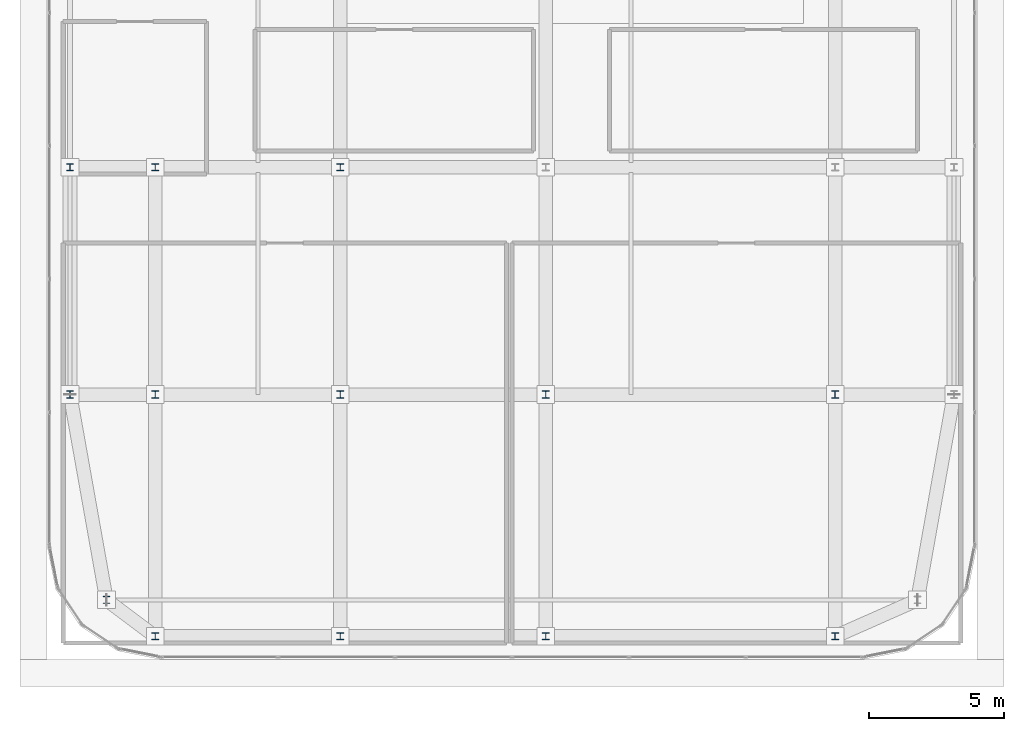
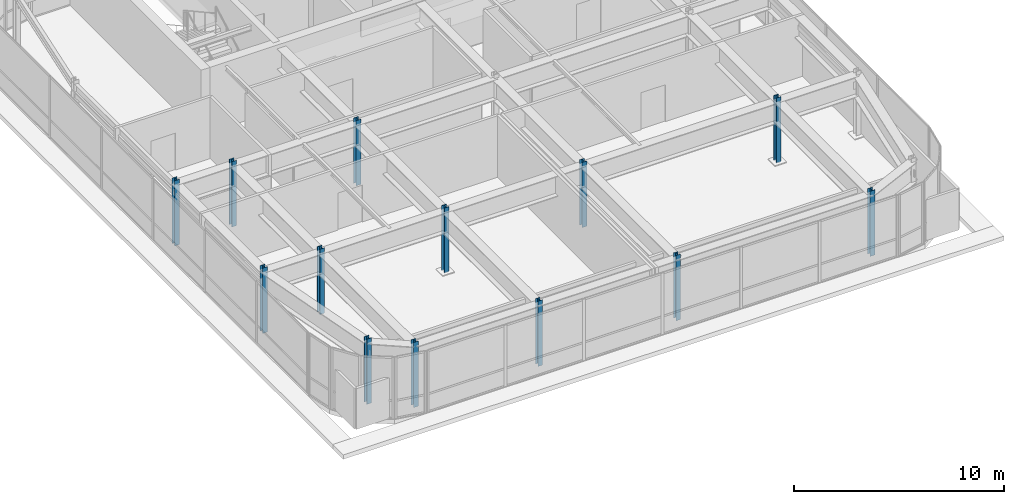
# One storey, part 1 of 35: 13 columns.
"""IFC4 building model written with IfcOpenShell, lengths in metres."""

from ifc_helpers import new_model, si_unit, direction, frame, origin, origin_2d, place, context, subcontext, project, spatial, i_section, extrude, source, transform, mapped, material, material_profile, profile_set, type_object, type_shapes, element, save


model = new_model("IFC4")

# Units and contexts
model_context = context("Model", 3, precision=1e-05, world=origin(), true_north=direction((0.0, 1.0)))
body_context = subcontext(model_context, "Body", "Model", "MODEL_VIEW")
ifc_project = project(units=[si_unit("LENGTHUNIT", "METRE"), si_unit("AREAUNIT", "SQUARE_METRE"), si_unit("VOLUMEUNIT", "CUBIC_METRE"), si_unit("PLANEANGLEUNIT", "RADIAN"), si_unit("MASSUNIT", "GRAM", prefix="KILO")], contexts=[model_context])

# Site, building, storey
site_placement = place(None, origin())
site = spatial("IfcSite", under=ifc_project, at=site_placement, CompositionType="ELEMENT")
building_placement = place(site_placement, origin())
building = spatial("IfcBuilding", under=site, at=building_placement, Name="Tolvann Quenvar Hotel", CompositionType="ELEMENT")
storey_placement = place(building_placement, frame((0.0, 0.0, 290.949951171875)))
storey = spatial("IfcBuildingStorey", under=building, at=storey_placement, Name="L77", CompositionType="ELEMENT", Elevation=290.949951171875)

# Columns
ifc_material = material(Name="Steel Grade 350", Category="steel")
ifc_material_profile = material_profile(ifc_material, i_section(OverallWidth=0.256103515625, OverallDepth=0.260009765625, WebThickness=0.010498046875, FlangeThickness=0.017333984375, FilletRadius=0.013916015625, at=origin_2d()), Name="250UC90")
ifc_profile_set = profile_set([ifc_material_profile], Name="Steel Grade 350")
column_type = type_object("IfcColumnType", Name="COL_250UC90", PredefinedType="COLUMN", material=ifc_profile_set)
shared_shape = source(origin(), body_context, "Body", "SweptSolid", [
    extrude(i_section(OverallWidth=0.256103515625, OverallDepth=0.260009765625, WebThickness=0.010498046875, FlangeThickness=0.017333984375, FilletRadius=0.013916015625, at=origin_2d()), origin(), (0.0, 0.0, 1.0), 3.800048828125),
])
type_shapes(column_type, [shared_shape])
for number, where, z_axis, x_axis, name in (
    (1, (5.800048828125, 8.39990234375, 0.0), (0.0, 0.0, 1.0), (1.0, 0.0, 0.0), "Column B2 (L77)"),
    (2, (4.449951171875, 16.0, 0.0), (0.0, 0.0, 1.0), (1.0, 0.0, 0.0), "Column B4 (L77)"),
    (3, (4.449951171875, 24.39990234375, 0.0), (0.0, 0.0, 1.0), (1.0, 0.0, 0.0), "Column B5 (L77)"),
    (4, (7.60009765625, 7.050048828125, 0.0), (0.0, 0.0, 1.0), (1.0, 0.0, 0.0), "Column C2 (L77)"),
    (5, (7.60009765625, 16.0, 0.0), (0.0, 0.0, 1.0), (1.0, 0.0, 0.0), "Column C4 (L77)"),
    (6, (7.60009765625, 24.39990234375, 0.0), (0.0, 0.0, 1.0), (1.0, 0.0, 0.0), "Column C5 (L77)"),
    (7, (14.449951171875, 7.050048828125, 0.0), (0.0, 0.0, 1.0), (1.0, 0.0, 0.0), "Column D2 (L77)"),
    (8, (14.449951171875, 16.0, 0.0), (0.0, 0.0, 1.0), (1.0, 0.0, 0.0), "Column D4 (L77)"),
    (9, (14.449951171875, 24.39990234375, 0.0), (0.0, 0.0, 1.0), (1.0, 0.0, 0.0), "Column D5 (L77)"),
    (10, (22.050048828125, 7.050048828125, 0.0), (0.0, 0.0, 1.0), (1.0, 0.0, 0.0), "Column E2 (L77)"),
    (11, (22.050048828125, 16.0, 0.0), (0.0, 0.0, 1.0), (1.0, 0.0, 0.0), "Column E4 (L77)"),
    (12, (32.75, 7.050048828125, 0.0), (0.0, 0.0, 1.0), (1.0, 0.0, 0.0), "Column FP2 (L77)"),
    (13, (32.75, 16.0, 0.0), (0.0, 0.0, 1.0), (1.0, 0.0, 0.0), "Column FP4 (L77)"),
):
    element("IfcColumn", number, at=place(storey_placement, frame(where, z_axis=z_axis, x_axis=x_axis)), inside=storey, type_object=column_type, Name=name, PredefinedType="COLUMN", context=body_context, shape_type="MappedRepresentation", body=[
        mapped(shared_shape, transform((0.0, 0.0, 0.0), x_axis=(1.0, 0.0, 0.0), y_axis=(0.0, 1.0, 0.0), z_axis=(0.0, 0.0, 1.0), scale=1.0)),
    ])

save(model, "model.ifc")
